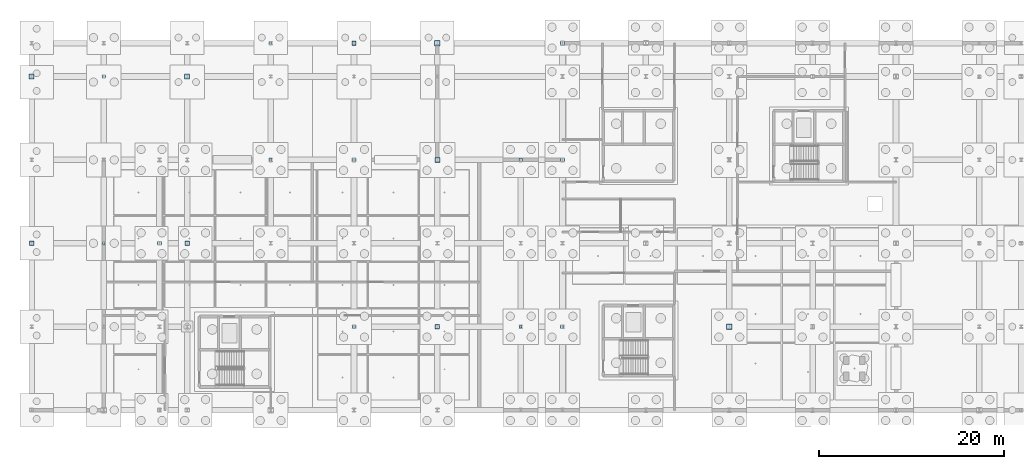
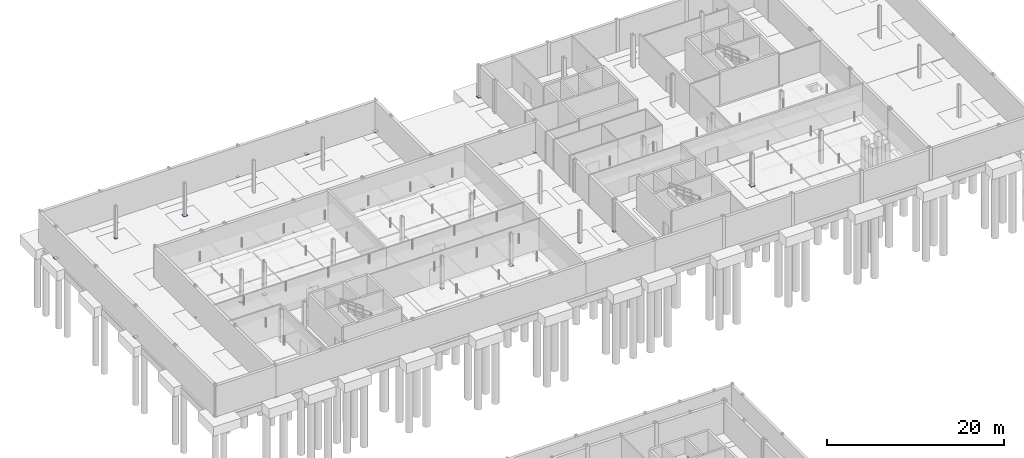
# One storey, part 22 of 48: 21 plates.
"""IFC4 building model written with IfcOpenShell, lengths in metres."""

from ifc_helpers import new_model, si_unit, direction, frame, origin, origin_2d, place, context, subcontext, project, spatial, rectangle, extrude, material, layer, layer_set, type_object, element, save


model = new_model("IFC4")

# Units and contexts
model_context = context("Model", 3, precision=1e-05, world=origin(), true_north=direction((0.0, 1.0)))
body_context = subcontext(model_context, "Body", "Model", "MODEL_VIEW")
ifc_project = project(units=[si_unit("LENGTHUNIT", "METRE"), si_unit("AREAUNIT", "SQUARE_METRE"), si_unit("VOLUMEUNIT", "CUBIC_METRE"), si_unit("PLANEANGLEUNIT", "RADIAN"), si_unit("MASSUNIT", "GRAM", prefix="KILO"), si_unit("THERMODYNAMICTEMPERATUREUNIT", "KELVIN"), si_unit("POWERUNIT", "WATT")], contexts=[model_context])

# Site, building, storey
site_placement = place(None, origin())
site = spatial("IfcSite", under=ifc_project, at=site_placement, CompositionType="ELEMENT")
building_placement = place(site_placement, origin())
building = spatial("IfcBuilding", under=site, at=building_placement, Name="Tallowbark Science Centre", CompositionType="ELEMENT")
storey_placement = place(building_placement, frame((0.0, 0.0, -4.5)))
storey = spatial("IfcBuildingStorey", under=building, at=storey_placement, Name="B1", CompositionType="ELEMENT", Elevation=-4.5)

# Plates
ifc_material = material(Name="Structural Steel Grade 300PLUS (300 MPa)", Category="steel")
ifc_layer_1 = layer(ifc_material, 0.010009765625)
ifc_layer_set_1 = layer_set([ifc_layer_1], Name="Structural Steel Grade 300PLUS (300 MPa)")
plate_type_1 = type_object("IfcPlateType", Name="PLT-GUS-10", PredefinedType="SHEET", material=ifc_layer_set_1)
for number, where, z_axis, x_axis, name in (
    (1, (63.0, 90.0, 0.0), (0.0, 0.0, 1.0), (1.0, 0.0, 0.0), "Column Baseplate LAB-1_2"),
    (2, (81.0, 99.0, 0.0), (0.0, 0.0, 1.0), (1.0, 0.0, 0.0), "Column Baseplate LAB-4_3"),
    (3, (108.0, 81.0, 0.0), (0.0, 0.0, 1.0), (1.0, 0.0, 0.0), "Column Baseplate LAB-7_1"),
):
    element("IfcPlate", number, at=place(storey_placement, frame(where, z_axis=z_axis, x_axis=x_axis)), inside=storey, type_object=plate_type_1, Name=name, PredefinedType="SHEET", context=body_context, shape_type="SweptSolid", body=[
        extrude(rectangle(XDim=0.300048828125, YDim=0.300048828125, at=origin_2d()), origin(), (0.0, 0.0, 1.0), 0.010009765625),
    ])
ifc_layer_2 = layer(ifc_material, 0.013916015625)
ifc_layer_set_2 = layer_set([ifc_layer_2], Name="Structural Steel Grade 300PLUS (300 MPa)")
plate_type_2 = type_object("IfcPlateType", Name="PLT-GUS-14", PredefinedType="SHEET", material=ifc_layer_set_2)
for number, where, z_axis, x_axis, name in (
    (4, (63.0, 108.0, 0.0), (0.0, 0.0, 1.0), (1.0, 0.0, 0.0), "Column Baseplate LAB-1_4"),
    (5, (81.0, 111.60009765625, 0.0), (0.0, 0.0, 1.0), (1.0, 0.0, 0.0), "Column Baseplate LAB-4_5"),
    (6, (108.0, 99.0, 0.0), (0.0, 0.0, 1.0), (1.0, 0.0, 0.0), "Column Baseplate LAB-7_3"),
):
    element("IfcPlate", number, at=place(storey_placement, frame(where, z_axis=z_axis, x_axis=x_axis)), inside=storey, type_object=plate_type_2, Name=name, PredefinedType="SHEET", context=body_context, shape_type="SweptSolid", body=[
        extrude(rectangle(XDim=0.340087890625, YDim=0.340087890625, at=origin_2d()), origin(), (0.0, 0.0, 1.0), 0.013916015625),
    ])
ifc_layer_3 = layer(ifc_material, 0.01806640625)
ifc_layer_set_3 = layer_set([ifc_layer_3], Name="Structural Steel Grade 300PLUS (300 MPa)")
plate_type_3 = type_object("IfcPlateType", Name="PLT-GUS-18", PredefinedType="SHEET", material=ifc_layer_set_3)
for number, where, z_axis, x_axis, name in (
    (7, (90.0, 81.0, 0.0), (0.0, 0.0, 1.0), (1.0, 0.0, 0.0), "Column Baseplate LAB-5_1"),
    (8, (112.5, 81.0, 0.0), (0.0, 0.0, 1.0), (1.0, 0.0, 0.0), "Column Baseplate LAB-8_1"),
):
    element("IfcPlate", number, at=place(storey_placement, frame(where, z_axis=z_axis, x_axis=x_axis)), inside=storey, type_object=plate_type_3, Name=name, PredefinedType="SHEET", context=body_context, shape_type="SweptSolid", body=[
        extrude(rectangle(XDim=0.3798828125, YDim=0.3798828125, at=origin_2d()), origin(), (0.0, 0.0, 1.0), 0.01806640625),
    ])
ifc_layer_4 = layer(ifc_material, 0.02197265625)
ifc_layer_set_4 = layer_set([ifc_layer_4], Name="Structural Steel Grade 300PLUS (300 MPa)")
plate_type_4 = type_object("IfcPlateType", Name="PLT-GUS-22", PredefinedType="SHEET", material=ifc_layer_set_4)
for number, where, z_axis, x_axis, name in (
    (9, (69.0, 90.0, 0.0), (0.0, 0.0, 1.0), (1.0, 0.0, 0.0), "Column Baseplate LAB-2_2"),
    (10, (90.0, 99.0, 0.0), (0.0, 0.0, 1.0), (1.0, 0.0, 0.0), "Column Baseplate LAB-5_3"),
    (11, (112.5, 99.0, 0.0), (0.0, 0.0, 1.0), (1.0, 0.0, 0.0), "Column Baseplate LAB-8_3"),
):
    element("IfcPlate", number, at=place(storey_placement, frame(where, z_axis=z_axis, x_axis=x_axis)), inside=storey, type_object=plate_type_4, Name=name, PredefinedType="SHEET", context=body_context, shape_type="SweptSolid", body=[
        extrude(rectangle(XDim=0.419921875, YDim=0.419921875, at=origin_2d()), origin(), (0.0, 0.0, 1.0), 0.02197265625),
    ])
ifc_layer_5 = layer(ifc_material, 0.02587890625)
ifc_layer_set_5 = layer_set([ifc_layer_5], Name="Structural Steel Grade 300PLUS (300 MPa)")
plate_type_5 = type_object("IfcPlateType", Name="PLT-GUS-26", PredefinedType="SHEET", material=ifc_layer_set_5)
for number, where, z_axis, x_axis, name in (
    (12, (90.0, 111.60009765625, 0.0), (0.0, 0.0, 1.0), (1.0, 0.0, 0.0), "Column Baseplate LAB-5_5"),
    (13, (112.5, 111.60009765625, 0.0), (0.0, 0.0, 1.0), (1.0, 0.0, 0.0), "Column Baseplate OBS-0_5"),
):
    element("IfcPlate", number, at=place(storey_placement, frame(where, z_axis=z_axis, x_axis=x_axis)), inside=storey, type_object=plate_type_5, Name=name, PredefinedType="SHEET", context=body_context, shape_type="SweptSolid", body=[
        extrude(rectangle(XDim=0.4599609375, YDim=0.4599609375, at=origin_2d()), origin(), (0.0, 0.0, 1.0), 0.02587890625),
    ])
ifc_layer_6 = layer(ifc_material, 0.030029296875)
ifc_layer_set_6 = layer_set([ifc_layer_6], Name="Structural Steel Grade 300PLUS (300 MPa)")
plate_type_6 = type_object("IfcPlateType", Name="PLT-GUS-30", PredefinedType="SHEET", material=ifc_layer_set_6)
for number, where, z_axis, x_axis, name in (
    (14, (55.199951171875, 90.0, 0.0), (0.0, 0.0, 1.0), (1.0, 0.0, 0.0), "Column Baseplate LAB-0_2"),
    (15, (72.0, 90.0, 0.0), (0.0, 0.0, 1.0), (1.0, 0.0, 0.0), "Column Baseplate LAB-3_2"),
    (16, (99.0, 81.0, 0.0), (0.0, 0.0, 1.0), (1.0, 0.0, 0.0), "Column Baseplate LAB-6_1"),
):
    element("IfcPlate", number, at=place(storey_placement, frame(where, z_axis=z_axis, x_axis=x_axis)), inside=storey, type_object=plate_type_6, Name=name, PredefinedType="SHEET", context=body_context, shape_type="SweptSolid", body=[
        extrude(rectangle(XDim=0.5, YDim=0.5, at=origin_2d()), origin(), (0.0, 0.0, 1.0), 0.030029296875),
    ])
ifc_layer_7 = layer(ifc_material, 0.033935546875)
ifc_layer_set_7 = layer_set([ifc_layer_7], Name="Structural Steel Grade 300PLUS (300 MPa)")
plate_type_7 = type_object("IfcPlateType", Name="PLT-GUS-34", PredefinedType="SHEET", material=ifc_layer_set_7)
for number, where, z_axis, x_axis, name in (
    (17, (55.199951171875, 108.0, 0.0), (0.0, 0.0, 1.0), (1.0, 0.0, 0.0), "Column Baseplate LAB-0_4"),
    (18, (72.0, 108.0, 0.0), (0.0, 0.0, 1.0), (1.0, 0.0, 0.0), "Column Baseplate LAB-3_4"),
    (19, (99.0, 99.0, 0.0), (0.0, 0.0, 1.0), (1.0, 0.0, 0.0), "Column Baseplate LAB-6_3"),
):
    element("IfcPlate", number, at=place(storey_placement, frame(where, z_axis=z_axis, x_axis=x_axis)), inside=storey, type_object=plate_type_7, Name=name, PredefinedType="SHEET", context=body_context, shape_type="SweptSolid", body=[
        extrude(rectangle(XDim=0.5400390625, YDim=0.5400390625, at=origin_2d()), origin(), (0.0, 0.0, 1.0), 0.033935546875),
    ])
ifc_layer_8 = layer(ifc_material, 0.0380859375)
ifc_layer_set_8 = layer_set([ifc_layer_8], Name="Structural Steel Grade 300PLUS (300 MPa)")
plate_type_8 = type_object("IfcPlateType", Name="PLT-GUS-38", PredefinedType="SHEET", material=ifc_layer_set_8)
for number, where, z_axis, x_axis, name in (
    (20, (99.0, 111.60009765625, 0.0), (0.0, 0.0, 1.0), (1.0, 0.0, 0.0), "Column Baseplate LAB-6_5"),
    (21, (130.5, 81.0, 0.0), (0.0, 0.0, 1.0), (1.0, 0.0, 0.0), "Column Baseplate OBS-2_1"),
):
    element("IfcPlate", number, at=place(storey_placement, frame(where, z_axis=z_axis, x_axis=x_axis)), inside=storey, type_object=plate_type_8, Name=name, PredefinedType="SHEET", context=body_context, shape_type="SweptSolid", body=[
        extrude(rectangle(XDim=0.580078125, YDim=0.580078125, at=origin_2d()), origin(), (0.0, 0.0, 1.0), 0.0380859375),
    ])

save(model, "model.ifc")
